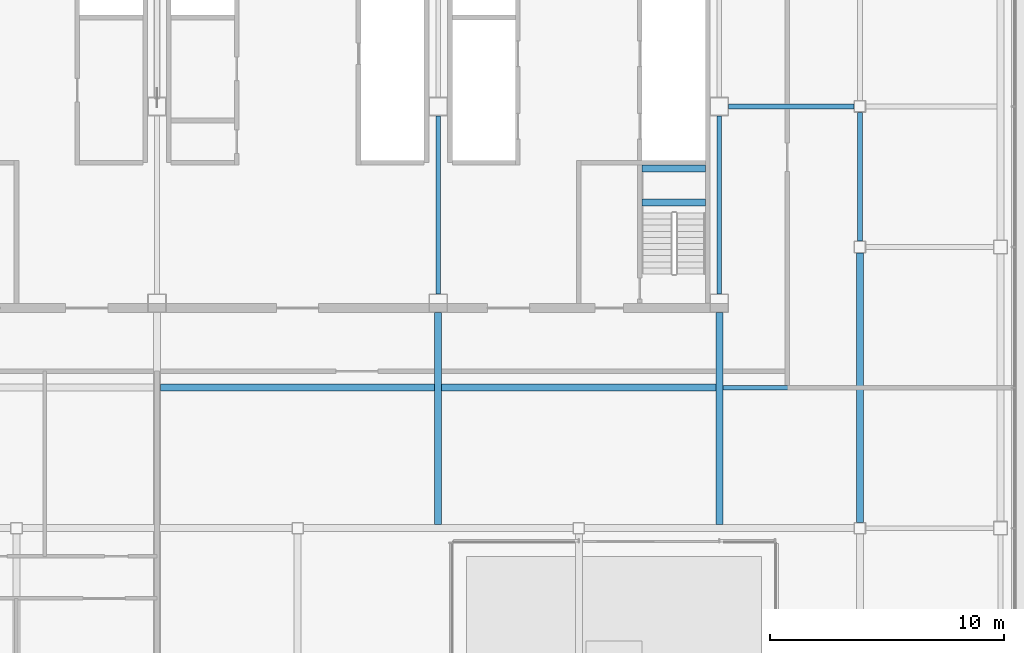
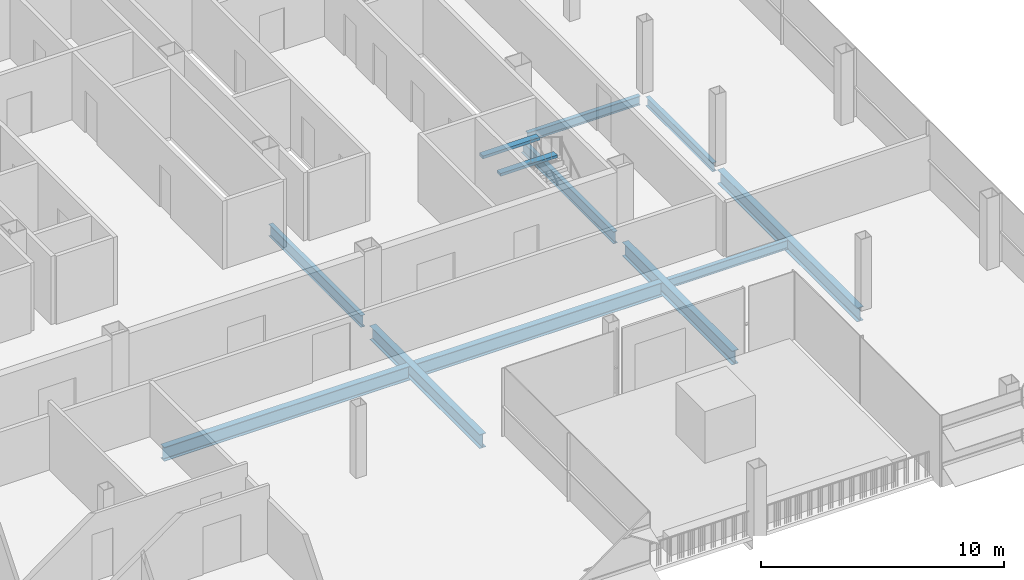
# One storey, part 12 of 30: 12 beams.
"""IFC4 building model written with IfcOpenShell, lengths in metres."""

from ifc_helpers import new_model, si_unit, direction, frame, origin, origin_2d, place, context, subcontext, project, spatial, rectangle, i_section, extrude, material, material_profile, profile_set, type_object, element, save


model = new_model("IFC4")

# Units and contexts
model_context = context("Model", 3, precision=1e-05, world=origin(), true_north=direction((0.0, 1.0)))
body_context = subcontext(model_context, "Body", "Model", "MODEL_VIEW")
ifc_project = project(units=[si_unit("LENGTHUNIT", "METRE"), si_unit("AREAUNIT", "SQUARE_METRE"), si_unit("VOLUMEUNIT", "CUBIC_METRE"), si_unit("PLANEANGLEUNIT", "RADIAN"), si_unit("MASSUNIT", "GRAM", prefix="KILO")], contexts=[model_context])

# Site, building, storey
site_placement = place(None, origin())
site = spatial("IfcSite", under=ifc_project, at=site_placement, CompositionType="ELEMENT")
building_placement = place(site_placement, origin())
building = spatial("IfcBuilding", under=site, at=building_placement, Name="Sorahane Residences", CompositionType="ELEMENT")
storey_placement = place(building_placement, frame((0.0, 0.0, 263.0)))
storey = spatial("IfcBuildingStorey", under=building, at=storey_placement, Name="L62", CompositionType="ELEMENT", Elevation=263.0)

# Beams
ifc_material_1 = material(Name="Concrete C40", Category="concrete")
ifc_material_profile_1 = material_profile(ifc_material_1, rectangle(XDim=0.300048828125, YDim=0.139892578125, at=origin_2d()), Name="300x140")
ifc_profile_set_1 = profile_set([ifc_material_profile_1], Name="Concrete C40")
beam_type_1 = type_object("IfcBeamType", Name="RC landing beam 300 x 140 Concrete C40", PredefinedType="BEAM", material=ifc_profile_set_1)
for number, where, z_axis, x_axis, name in (
    (1, (38.699951171875, 25.89990234375, 1.530029296875), (1.0, 0.0, 0.0), (0.0, 1.0, 0.0), "Landing beam"),
    (2, (38.699951171875, 27.35009765625, 1.530029296875), (1.0, 0.0, 0.0), (0.0, 1.0, 0.0), "Landing beam"),
):
    element("IfcBeam", number, at=place(storey_placement, frame(where, z_axis=z_axis, x_axis=x_axis)), inside=storey, type_object=beam_type_1, Name=name, PredefinedType="BEAM", context=body_context, shape_type="SweptSolid", body=[
        extrude(rectangle(XDim=0.300048828125, YDim=0.139892578125, at=origin_2d()), origin(), (0.0, 0.0, 1.0), 2.699951171875),
    ])
ifc_material_2 = material(Name="Steel Q355B", Category="steel")
ifc_material_profile_2 = material_profile(ifc_material_2, i_section(OverallWidth=0.199951171875, OverallDepth=0.449951171875, WebThickness=0.009033203125, FlangeThickness=0.013916015625, FilletRadius=0.02001953125, at=origin_2d()), Name="HN 450x200x9x14")
ifc_profile_set_2 = profile_set([ifc_material_profile_2], Name="Steel Q355B")
beam_type_2 = type_object("IfcBeamType", Name="Steel floor beam HN 450x200x9x14 Q355B", PredefinedType="BEAM", material=ifc_profile_set_2)
beam_1_placement = place(storey_placement, frame((48.0, 24.25, -0.405029296875), z_axis=(0.0, 1.0, 0.0), x_axis=(-1.0, 0.0, 0.0)))
element("IfcBeam", 3, at=beam_1_placement, inside=storey, type_object=beam_type_2, Name="Beam L62 057", PredefinedType="BEAM", context=body_context, shape_type="SweptSolid", body=[
    extrude(i_section(OverallWidth=0.199951171875, OverallDepth=0.449951171875, WebThickness=0.009033203125, FlangeThickness=0.013916015625, FilletRadius=0.02001953125, at=origin_2d()), origin(), (0.0, 0.0, 1.0), 5.5),
])
beam_2_placement = place(storey_placement, frame((42.14990234375, 18.0, -0.405029296875), z_axis=(1.0, 0.0, 0.0), x_axis=(0.0, 1.0, 0.0)))
element("IfcBeam", 4, at=beam_2_placement, inside=storey, type_object=beam_type_2, Name="Beam L62 078", PredefinedType="BEAM", context=body_context, shape_type="SweptSolid", body=[
    extrude(i_section(OverallWidth=0.199951171875, OverallDepth=0.449951171875, WebThickness=0.009033203125, FlangeThickness=0.013916015625, FilletRadius=0.02001953125, at=origin_2d()), origin(), (0.0, 0.0, 1.0), 5.7001953125),
])
beam_3_placement = place(storey_placement, frame((42.39990234375, 30.0, -0.405029296875), z_axis=(1.0, 0.0, 0.0), x_axis=(0.0, 1.0, 0.0)))
element("IfcBeam", 5, at=beam_3_placement, inside=storey, type_object=beam_type_2, Name="Beam L62 082", PredefinedType="BEAM", context=body_context, shape_type="SweptSolid", body=[
    extrude(i_section(OverallWidth=0.199951171875, OverallDepth=0.449951171875, WebThickness=0.009033203125, FlangeThickness=0.013916015625, FilletRadius=0.02001953125, at=origin_2d()), origin(), (0.0, 0.0, 1.0), 5.35009765625),
])
ifc_material_3 = material(Name="Steel Q355B", Category="steel")
ifc_material_profile_3 = material_profile(ifc_material_3, i_section(OverallWidth=0.199951171875, OverallDepth=0.60009765625, WebThickness=0.010986328125, FlangeThickness=0.01708984375, FilletRadius=0.02392578125, at=origin_2d()), Name="HN 600x200x11x17")
ifc_profile_set_3 = profile_set([ifc_material_profile_3], Name="Steel Q355B")
beam_type_3 = type_object("IfcBeamType", Name="Steel floor beam HN 600x200x11x17 Q355B", PredefinedType="BEAM", material=ifc_profile_set_3)
for number, where, z_axis, x_axis, name in (
    (6, (30.0, 22.0, -0.47998046875), (0.0, 1.0, 0.0), (-1.0, 0.0, 0.0), "Beam L62 044"),
    (7, (42.0, 22.0, -0.47998046875), (0.0, 1.0, 0.0), (-1.0, 0.0, 0.0), "Beam L62 051"),
):
    element("IfcBeam", number, at=place(storey_placement, frame(where, z_axis=z_axis, x_axis=x_axis)), inside=storey, type_object=beam_type_3, Name=name, PredefinedType="BEAM", context=body_context, shape_type="SweptSolid", body=[
        extrude(i_section(OverallWidth=0.199951171875, OverallDepth=0.60009765625, WebThickness=0.010986328125, FlangeThickness=0.01708984375, FilletRadius=0.02392578125, at=origin_2d()), origin(), (0.0, 0.0, 1.0), 7.60009765625),
    ])
ifc_material_4 = material(Name="Steel Q355B", Category="steel")
ifc_material_profile_4 = material_profile(ifc_material_4, i_section(OverallWidth=0.300048828125, OverallDepth=0.699951171875, WebThickness=0.012939453125, FlangeThickness=0.02392578125, FilletRadius=0.028076171875, at=origin_2d()), Name="HN 700x300x13x24")
ifc_profile_set_4 = profile_set([ifc_material_profile_4], Name="Steel Q355B")
beam_type_4 = type_object("IfcBeamType", Name="Steel floor beam HN 700x300x13x24 Q355B", PredefinedType="BEAM", material=ifc_profile_set_4)
for number, where, z_axis, x_axis, name in (
    (8, (30.0, 12.14990234375, -0.530029296875), (0.0, 1.0, 0.0), (-1.0, 0.0, 0.0), "Beam L62 043"),
    (9, (42.0, 12.14990234375, -0.530029296875), (0.0, 1.0, 0.0), (-1.0, 0.0, 0.0), "Beam L62 050"),
):
    element("IfcBeam", number, at=place(storey_placement, frame(where, z_axis=z_axis, x_axis=x_axis)), inside=storey, type_object=beam_type_4, Name=name, PredefinedType="BEAM", context=body_context, shape_type="SweptSolid", body=[
        extrude(i_section(OverallWidth=0.300048828125, OverallDepth=0.699951171875, WebThickness=0.012939453125, FlangeThickness=0.02392578125, FilletRadius=0.028076171875, at=origin_2d()), origin(), (0.0, 0.0, 1.0), 9.050048828125),
    ])
beam_4_placement = place(storey_placement, frame((48.0, 12.25, -0.530029296875), z_axis=(0.0, 1.0, 0.0), x_axis=(-1.0, 0.0, 0.0)))
element("IfcBeam", 10, at=beam_4_placement, inside=storey, type_object=beam_type_4, Name="Beam L62 056", PredefinedType="BEAM", context=body_context, shape_type="SweptSolid", body=[
    extrude(i_section(OverallWidth=0.300048828125, OverallDepth=0.699951171875, WebThickness=0.012939453125, FlangeThickness=0.02392578125, FilletRadius=0.028076171875, at=origin_2d()), origin(), (0.0, 0.0, 1.0), 11.5),
])
for number, where, z_axis, x_axis, name in (
    (11, (18.14990234375, 18.0, -0.530029296875), (1.0, 0.0, 0.0), (0.0, 1.0, 0.0), "Beam L62 076"),
    (12, (30.14990234375, 18.0, -0.530029296875), (1.0, 0.0, 0.0), (0.0, 1.0, 0.0), "Beam L62 077"),
):
    element("IfcBeam", number, at=place(storey_placement, frame(where, z_axis=z_axis, x_axis=x_axis)), inside=storey, type_object=beam_type_4, Name=name, PredefinedType="BEAM", context=body_context, shape_type="SweptSolid", body=[
        extrude(i_section(OverallWidth=0.300048828125, OverallDepth=0.699951171875, WebThickness=0.012939453125, FlangeThickness=0.02392578125, FilletRadius=0.028076171875, at=origin_2d()), origin(), (0.0, 0.0, 1.0), 11.7001953125),
    ])

save(model, "model.ifc")
